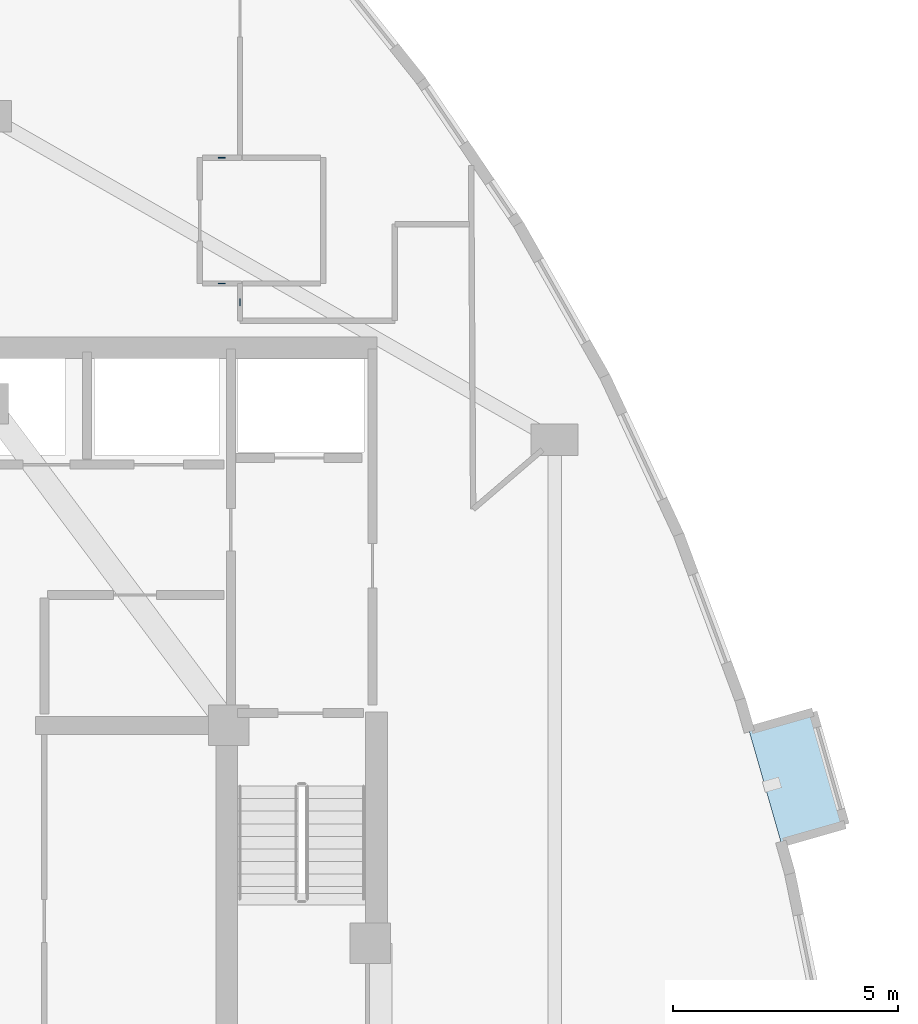
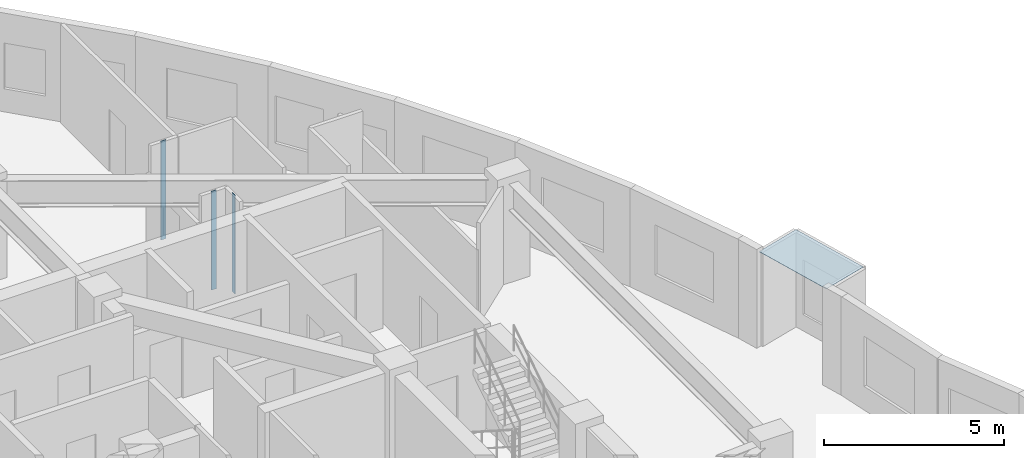
# One storey, part 6 of 13: 4 plates.
"""IFC4 building model written with IfcOpenShell, lengths in metres."""

from ifc_helpers import new_model, si_unit, direction, frame, origin, origin_2d, place, context, subcontext, project, spatial, polyline, rectangle, outline, extrude, material, layer, layer_set, type_object, element, save


model = new_model("IFC4")

# Units and contexts
model_context = context("Model", 3, precision=1e-05, world=origin(), true_north=direction((0.0, 1.0)))
body_context = subcontext(model_context, "Body", "Model", "MODEL_VIEW")
ifc_project = project(units=[si_unit("LENGTHUNIT", "METRE"), si_unit("AREAUNIT", "SQUARE_METRE"), si_unit("VOLUMEUNIT", "CUBIC_METRE"), si_unit("PLANEANGLEUNIT", "RADIAN"), si_unit("MASSUNIT", "GRAM", prefix="KILO")], contexts=[model_context])

# Site, building, storey
site_placement = place(None, origin())
site = spatial("IfcSite", under=ifc_project, at=site_placement, CompositionType="ELEMENT")
building_placement = place(site_placement, origin())
building = spatial("IfcBuilding", under=site, at=building_placement, Name="Miruveldt Soraemaru", CompositionType="ELEMENT")
storey_placement = place(building_placement, frame((0.0, 0.0, 205.199951171875)))
storey = spatial("IfcBuildingStorey", under=building, at=storey_placement, Name="L56", CompositionType="ELEMENT", Elevation=205.199951171875)

# Plates
ifc_material_1 = material(Name="Anodised aluminium EN AW-6063 T6", Category="aluminium")
ifc_layer_1 = layer(ifc_material_1, 0.02001953125, Name="Anodised aluminium EN AW-6063 T6", Category="aluminium")
ifc_layer_set_1 = layer_set([ifc_layer_1], Name="Anodised aluminium EN AW-6063 T6")
plate_type_1 = type_object("IfcPlateType", Name="PLT-PART-TRIM", PredefinedType="SHEET", material=ifc_layer_set_1)
for number, where, z_axis, x_axis, name in (
    (1, (49.199951171875, 56.679931640625, 0.0), (0.0, 0.0, 1.0), (-1.0, 0.0, 0.0), "L56 Partition Step Corner Trim Plate 016"),
    (2, (49.199951171875, 53.8798828125, 0.0), (0.0, 0.0, 1.0), (1.0, 0.0, 0.0), "L56 Partition Step Corner Trim Plate 018"),
    (3, (49.60302734375, 53.465087890625, 0.0), (0.0, 0.0, 1.0), (0.0, 1.0, 0.0), "L56 Partition Step Corner Trim Plate 019"),
):
    element("IfcPlate", number, at=place(storey_placement, frame(where, z_axis=z_axis, x_axis=x_axis)), inside=storey, type_object=plate_type_1, Name=name, PredefinedType="SHEET", context=body_context, shape_type="SweptSolid", body=[
        extrude(rectangle(XDim=0.159912109375, YDim=0.02001953125, at=origin_2d()), origin(), (0.0, 0.0, 1.0), 3.344970703125),
    ])
ifc_material_2 = material(Name="Standing-seam titanium-zinc sheet", Category="aluminium")
ifc_layer_2 = layer(ifc_material_2, 0.011962890625, Name="Standing-seam titanium-zinc sheet", Category="aluminium")
ifc_layer_set_2 = layer_set([ifc_layer_2], Name="Standing-seam titanium-zinc sheet")
plate_type_2 = type_object("IfcPlateType", Name="PLT-ZINC-12", PredefinedType="SHEET", material=ifc_layer_set_2)
plate_placement = place(storey_placement, frame((0.0, 0.0, 3.195068359375)))
element("IfcPlate", 4, at=plate_placement, inside=storey, type_object=plate_type_2, Name="L56 Bay Window Zinc Hood Sheet 3", PredefinedType="SHEET", context=body_context, shape_type="SweptSolid", body=[
    extrude(outline(polyline([(61.641845703125, 41.436279296875), (60.927001953125, 43.93603515625), (62.349853515625, 44.343017578125), (63.064697265625, 41.84326171875), (61.641845703125, 41.436279296875)])), origin(), (0.0, 0.0, 1.0), 0.011962890625),
])

save(model, "model.ifc")
